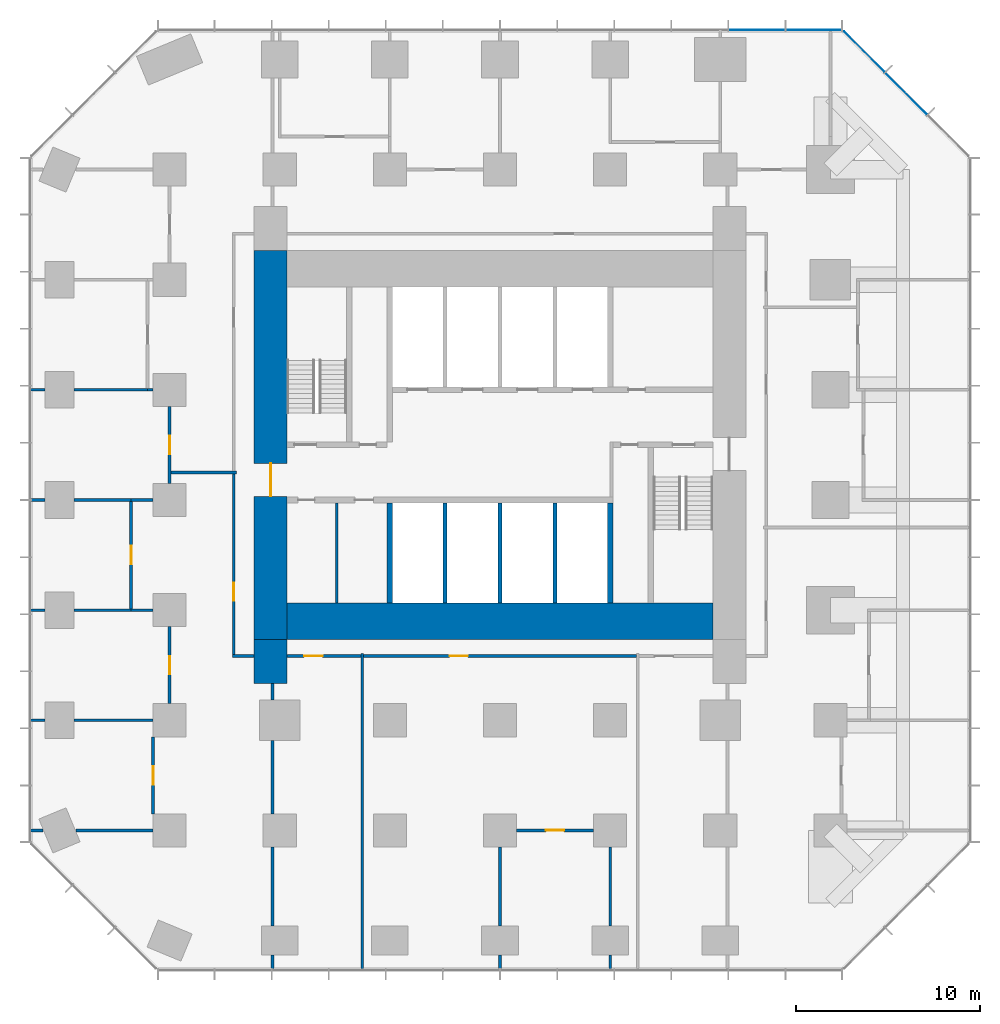
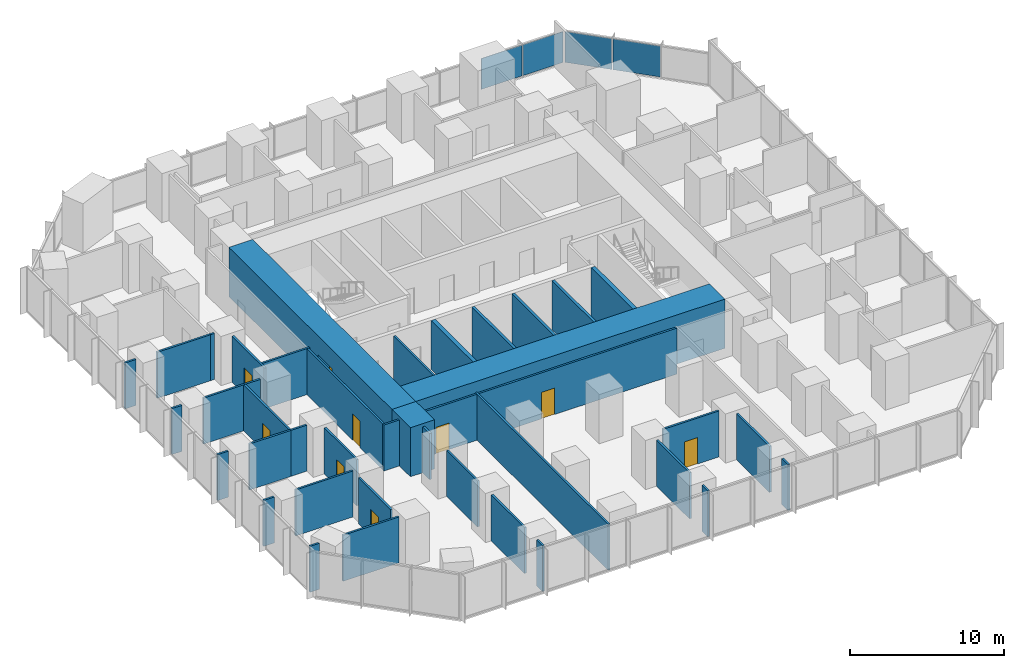
# One storey, part 9 of 13: 41 walls, 9 doors, 4 plates, 9 openings, 2 elements without a shape of their own.
"""IFC4 building model written with IfcOpenShell, lengths in metres."""

from ifc_helpers import new_model, si_unit, direction, frame, frame_2d, origin, origin_2d, place, context, subcontext, project, spatial, rectangle, extrude, material, layer, layer_set, type_object, element, fill, aggregate, save


model = new_model("IFC4")

# Units and contexts
model_context = context("Model", 3, precision=1e-05, world=origin(), true_north=direction((0.0, 1.0)))
body_context = subcontext(model_context, "Body", "Model", "MODEL_VIEW")
ifc_project = project(units=[si_unit("LENGTHUNIT", "METRE"), si_unit("AREAUNIT", "SQUARE_METRE"), si_unit("VOLUMEUNIT", "CUBIC_METRE"), si_unit("PLANEANGLEUNIT", "RADIAN"), si_unit("MASSUNIT", "GRAM", prefix="KILO")], contexts=[model_context])

# Site, building, storey
site_placement = place(None, origin())
site = spatial("IfcSite", under=ifc_project, at=site_placement, CompositionType="ELEMENT")
building_placement = place(site_placement, origin())
building = spatial("IfcBuilding", under=site, at=building_placement, Name="Highveld Stack Headquarters", CompositionType="ELEMENT")
storey_placement = place(building_placement, frame((0.0, 0.0, 61.10009765625)))
storey = spatial("IfcBuildingStorey", under=building, at=storey_placement, Name="L14", CompositionType="ELEMENT", Elevation=61.10009765625)

# Curtain wall, plates
ifc_material_1 = material(Name="Aluminium bronze anodised", Category="aluminium")
ifc_layer_1 = layer(ifc_material_1, 0.199951171875)
ifc_layer_set_1 = layer_set([ifc_layer_1], Name="Aluminium bronze anodised")
curtain_wall_type_1 = type_object("IfcCurtainWallType", Name="CW1 TOWER UNITISED CURTAIN WALL", PredefinedType="NOTDEFINED", material=ifc_layer_set_1)
curtain_wall_1_placement = place(storey_placement, origin())
curtain_wall_1 = element("IfcCurtainWall", 1, at=curtain_wall_1_placement, inside=storey, type_object=curtain_wall_type_1, Name="Curtain wall CW1 L14 N", PredefinedType="NOTDEFINED")
ifc_material_2 = material(Name="Glass bronze tinted double glazed unit", Category="glass")
ifc_layer_2 = layer(ifc_material_2, 0.028076171875)
ifc_layer_set_2 = layer_set([ifc_layer_2], Name="Glass bronze tinted double glazed unit")
plate_type_1 = type_object("IfcPlateType", Name="CW1 PANEL BRONZE TINTED DOUBLE GLAZED UNIT", PredefinedType="CURTAIN_PANEL", material=ifc_layer_set_2)
plate_1_placement = place(storey_placement, frame((23.09130859375, 25.60009765625, 0.10009765625), z_axis=(0.0, 0.0, 1.0), x_axis=(-1.0, 0.0, 0.0)))
plate_1 = element("IfcPlate", 2, at=plate_1_placement, type_object=plate_type_1, Name="CW1 panel L14 1.1", PredefinedType="CURTAIN_PANEL", context=body_context, shape_type="SweptSolid", body=[
    extrude(rectangle(XDim=3.012939453125, YDim=0.028076171875, at=origin_2d()), origin(), (0.0, 0.0, 1.0), 2.449951171875),
])
plate_2_placement = place(storey_placement, frame((19.9970703125, 25.60009765625, 0.10009765625), z_axis=(0.0, 0.0, 1.0), x_axis=(-1.0, 0.0, 0.0)))
plate_2 = element("IfcPlate", 3, at=plate_2_placement, type_object=plate_type_1, Name="CW1 panel L14 2.1", PredefinedType="CURTAIN_PANEL", context=body_context, shape_type="SweptSolid", body=[
    extrude(rectangle(XDim=3.04541015625, YDim=0.028076171875, at=origin_2d()), origin(), (0.0, 0.0, 1.0), 2.449951171875),
])
aggregate(curtain_wall_1, [plate_1, plate_2])

ifc_material_3 = material(Name="Aluminium bronze anodised", Category="aluminium")
ifc_layer_3 = layer(ifc_material_3, 0.199951171875)
ifc_layer_set_3 = layer_set([ifc_layer_3], Name="Aluminium bronze anodised")
curtain_wall_type_2 = type_object("IfcCurtainWallType", Name="CW2 TOWER CHAMFER UNITISED CURTAIN WALL", PredefinedType="NOTDEFINED", material=ifc_layer_set_3)
curtain_wall_2_placement = place(storey_placement, origin())
curtain_wall_2 = element("IfcCurtainWall", 4, at=curtain_wall_2_placement, inside=storey, type_object=curtain_wall_type_2, Name="Curtain wall CW2 L14 NE", PredefinedType="NOTDEFINED")
ifc_material_4 = material(Name="Glass bronze tinted double glazed unit", Category="glass")
ifc_layer_4 = layer(ifc_material_4, 0.028076171875)
ifc_layer_set_4 = layer_set([ifc_layer_4], Name="Glass bronze tinted double glazed unit")
plate_type_2 = type_object("IfcPlateType", Name="CW2 PANEL BRONZE TINTED DOUBLE GLAZED UNIT", PredefinedType="CURTAIN_PANEL", material=ifc_layer_set_4)
plate_3_placement = place(storey_placement, frame((28.13134765625, 22.13134765625, 0.10009765625), z_axis=(0.0, 0.0, 1.0), x_axis=(-0.707106781187, 0.707106781187, 0.0)))
plate_3 = element("IfcPlate", 5, at=plate_3_placement, type_object=plate_type_2, Name="CW2 panel L14 2.1", PredefinedType="CURTAIN_PANEL", context=body_context, shape_type="SweptSolid", body=[
    extrude(rectangle(XDim=3.205322265625, YDim=0.028076171875, at=origin_2d()), origin(), (0.0, 0.0, 1.0), 2.449951171875),
])
plate_4_placement = place(storey_placement, frame((25.8427734375, 24.419921875, 0.10009765625), z_axis=(0.0, 0.0, 1.0), x_axis=(-0.707106781187, 0.707106781187, 0.0)))
plate_4 = element("IfcPlate", 6, at=plate_4_placement, type_object=plate_type_2, Name="CW2 panel L14 3.1", PredefinedType="CURTAIN_PANEL", context=body_context, shape_type="SweptSolid", body=[
    extrude(rectangle(XDim=3.1376953125, YDim=0.028076171875, at=origin_2d()), origin(), (0.0, 0.0, 1.0), 2.449951171875),
])
aggregate(curtain_wall_2, [plate_3, plate_4])

# Wall, opening, door
ifc_material_5 = material(Name="Concrete C60/75", Category="concrete")
ifc_layer_5 = layer(ifc_material_5, 1.800048828125)
ifc_layer_set_5 = layer_set([ifc_layer_5], Name="Concrete C60/75")
wall_type_1 = type_object("IfcWallType", Name="CORE WALL 1800 C60/75", PredefinedType="SHEAR", material=ifc_layer_set_5)
wall_1_placement = place(storey_placement, frame((-6.5, -7.60009765625, 0.0), z_axis=(0.0, 0.0, 1.0), x_axis=(0.0, 1.0, 0.0)))
wall_1 = element("IfcWall", 7, at=wall_1_placement, inside=storey, type_object=wall_type_1, Name="Core wall W L14", PredefinedType="SHEAR", context=body_context, shape_type="SweptSolid", body=[
    extrude(rectangle(XDim=21.2001953125, YDim=1.800048828125, at=frame_2d((10.60009765625, 0.0))), origin(), (0.0, 0.0, 1.0), 3.89990234375),
])
opening_1_placement = place(wall_1_placement, frame((7.800048828125, 0.0, 0.0)))
opening_1 = element("IfcOpeningElement", 8, at=opening_1_placement, cuts=wall_1, Name="Opening L14-01", PredefinedType="OPENING", context=body_context, shape_type="SweptSolid", body=[
    extrude(rectangle(XDim=1.800048828125, YDim=2.39990234375, at=frame_2d((0.89990234375, 1.199951171875))), frame((0.0, 0.909912109375, 0.0), z_axis=(0.0, -1.0, 0.0), x_axis=(1.0, 0.0, 0.0)), (0.0, 0.0, 1.0), 1.820068359375),
])
ifc_material_6 = material(Name="Steel fire door", Category="steel")
door_type_1 = type_object("IfcDoorType", Name="LOBBY FIRE DOOR D4 1800x2400", OperationType="DOUBLE_DOOR_SINGLE_SWING", PredefinedType="DOOR", material=ifc_material_6)
door_1_placement = place(opening_1_placement, origin())
door_1 = element("IfcDoor", 9, at=door_1_placement, inside=storey, type_object=door_type_1, Name="Core west door L14", OperationType="DOUBLE_DOOR_SINGLE_SWING", OverallHeight=2.39990234375, OverallWidth=1.800048828125, PredefinedType="DOOR", context=body_context, shape_type="SweptSolid", body=[
    extrude(rectangle(XDim=1.800048828125, YDim=2.39990234375, at=frame_2d((0.89990234375, 1.199951171875))), frame((0.0, 0.02490234375, 0.0), z_axis=(0.0, -1.0, 0.0), x_axis=(1.0, 0.0, 0.0)), (0.0, 0.0, 1.0), 0.050048828125),
])
fill(opening_1, door_1)

# Walls
ifc_material_7 = material(Name="Concrete C60/75", Category="concrete")
ifc_layer_6 = layer(ifc_material_7, 2.0)
ifc_layer_set_6 = layer_set([ifc_layer_6], Name="Concrete C60/75")
wall_type_2 = type_object("IfcWallType", Name="CORE WALL 2000 C60/75", PredefinedType="SHEAR", material=ifc_layer_set_6)
wall_2_placement = place(storey_placement, frame((-5.60009765625, -6.60009765625, 0.0), z_axis=(0.0, 0.0, 1.0), x_axis=(1.0, 0.0, 0.0)))
element("IfcWall", 10, at=wall_2_placement, inside=storey, type_object=wall_type_2, Name="Core wall S L14", PredefinedType="SHEAR", context=body_context, shape_type="SweptSolid", body=[
    extrude(rectangle(XDim=23.2001953125, YDim=2.0, at=frame_2d((11.60009765625, 0.0))), origin(), (0.0, 0.0, 1.0), 3.89990234375),
])
ifc_material_8 = material(Name="Concrete C60/75", Category="concrete")
ifc_layer_7 = layer(ifc_material_8, 0.300048828125)
ifc_layer_set_7 = layer_set([ifc_layer_7], Name="Concrete C60/75")
wall_type_3 = type_object("IfcWallType", Name="CORE WALL 300 C60/75", PredefinedType="SHEAR", material=ifc_layer_set_7)
for number, where, z_axis, x_axis, name in (
    (11, (0.0, -5.60009765625, 0.0), (0.0, 0.0, 1.0), (0.0, 1.0, 0.0), "Core wall I-X0S L14"),
    (12, (12.0, -5.60009765625, 0.0), (0.0, 0.0, 1.0), (0.0, 1.0, 0.0), "Core wall I-X12S L14"),
):
    element("IfcWall", number, at=place(storey_placement, frame(where, z_axis=z_axis, x_axis=x_axis)), inside=storey, type_object=wall_type_3, Name=name, PredefinedType="SHEAR", context=body_context, shape_type="SweptSolid", body=[
        extrude(rectangle(XDim=5.4501953125, YDim=0.300048828125, at=frame_2d((2.72509765625, 0.0))), origin(), (0.0, 0.0, 1.0), 3.89990234375),
    ])
ifc_material_9 = material(Name="Concrete C60/75", Category="concrete")
ifc_layer_8 = layer(ifc_material_9, 1.800048828125)
ifc_layer_set_8 = layer_set([ifc_layer_8], Name="Concrete C60/75")
wall_type_4 = type_object("IfcWallType", Name="CORE WING WALL 1800 C60/75", PredefinedType="SHEAR", material=ifc_layer_set_8)
wall_3_placement = place(storey_placement, frame((-6.5, -10.0, 0.0), z_axis=(0.0, 0.0, 1.0), x_axis=(0.0, 1.0, 0.0)))
element("IfcWall", 13, at=wall_3_placement, inside=storey, type_object=wall_type_4, Name="Core wing wall WS L14", PredefinedType="SHEAR", context=body_context, shape_type="SweptSolid", body=[
    extrude(rectangle(XDim=2.39990234375, YDim=1.800048828125, at=frame_2d((1.199951171875, 0.0))), origin(), (0.0, 0.0, 1.0), 3.89990234375),
])

# Wall, opening, door
ifc_material_10 = material(Name="Laminated glass in aluminium frame", Category="aluminium")
ifc_layer_9 = layer(ifc_material_10, 0.14990234375)
ifc_layer_set_9 = layer_set([ifc_layer_9], Name="Laminated glass in aluminium frame")
wall_type_5 = type_object("IfcWallType", Name="GLAZED PARTITION 150", PredefinedType="PARTITIONING", material=ifc_layer_set_9)
wall_4_placement = place(storey_placement, frame((-12.0, 0.89990234375, 0.0), z_axis=(0.0, 0.0, 1.0), x_axis=(0.0, 1.0, 0.0)))
wall_4 = element("IfcWall", 14, at=wall_4_placement, inside=storey, type_object=wall_type_5, Name="Glazed partition Meeting room L14", PredefinedType="PARTITIONING", context=body_context, shape_type="SweptSolid", body=[
    extrude(rectangle(XDim=4.2001953125, YDim=0.14990234375, at=frame_2d((2.10009765625, 0.0))), origin(), (0.0, 0.0, 1.0), 3.64990234375),
])
opening_2_placement = place(wall_4_placement, frame((1.60009765625, 0.0, 0.0)))
opening_2 = element("IfcOpeningElement", 15, at=opening_2_placement, cuts=wall_4, Name="Opening L14-14", PredefinedType="OPENING", context=body_context, shape_type="SweptSolid", body=[
    extrude(rectangle(XDim=1.0, YDim=2.10009765625, at=frame_2d((0.5, 1.050048828125))), frame((0.0, 0.0849609375, 0.0), z_axis=(0.0, -1.0, 0.0), x_axis=(1.0, 0.0, 0.0)), (0.0, 0.0, 1.0), 0.169921875),
])
ifc_material_11 = material(Name="Timber door, oiled ash", Category="wood")
door_type_2 = type_object("IfcDoorType", Name="ROOM DOOR D6 1000x2100", OperationType="SINGLE_SWING_LEFT", PredefinedType="DOOR", material=ifc_material_11)
door_2_placement = place(opening_2_placement, origin())
door_2 = element("IfcDoor", 16, at=door_2_placement, inside=storey, type_object=door_type_2, Name="Meeting room door 1 L14", OperationType="SINGLE_SWING_LEFT", OverallHeight=2.10009765625, OverallWidth=1.0, PredefinedType="DOOR", context=body_context, shape_type="SweptSolid", body=[
    extrude(rectangle(XDim=1.0, YDim=2.10009765625, at=frame_2d((0.5, 1.050048828125))), frame((0.0, 0.02490234375, 0.0), z_axis=(0.0, -1.0, 0.0), x_axis=(1.0, 0.0, 0.0)), (0.0, 0.0, 1.0), 0.050048828125),
])
fill(opening_2, door_2)

# Walls
ifc_material_12 = material(Name="Concrete blockwork, fair-faced", Category="masonry")
ifc_layer_10 = layer(ifc_material_12, 0.199951171875)
ifc_layer_set_10 = layer_set([ifc_layer_10], Name="Concrete blockwork, fair-faced")
wall_type_6 = type_object("IfcWallType", Name="LIFT SHAFT ENCLOSURE WALL 200 BLOCKWORK", PredefinedType="SOLIDWALL", material=ifc_layer_set_10)
for number, where, z_axis, x_axis, name in (
    (17, (3.0, -5.60009765625, 0.0), (0.0, 0.0, 1.0), (0.0, 1.0, 0.0), "Lift shaft wall L14"),
    (18, (6.0, -5.60009765625, 0.0), (0.0, 0.0, 1.0), (0.0, 1.0, 0.0), "Lift shaft wall L14"),
    (19, (9.0, -5.60009765625, 0.0), (0.0, 0.0, 1.0), (0.0, 1.0, 0.0), "Lift shaft wall L14"),
):
    element("IfcWall", number, at=place(storey_placement, frame(where, z_axis=z_axis, x_axis=x_axis)), inside=storey, type_object=wall_type_6, Name=name, PredefinedType="SOLIDWALL", context=body_context, shape_type="SweptSolid", body=[
        extrude(rectangle(XDim=5.4501953125, YDim=0.199951171875, at=frame_2d((2.72509765625, 0.0))), origin(), (0.0, 0.0, 1.0), 3.89990234375),
    ])
ifc_material_13 = material(Name="Gypsum plasterboard on steel studs", Category="steel")
ifc_layer_11 = layer(ifc_material_13, 0.14990234375)
ifc_layer_set_11 = layer_set([ifc_layer_11], Name="Gypsum plasterboard on steel studs")
wall_type_7 = type_object("IfcWallType", Name="PARTITION 150 PLASTERBOARD", PredefinedType="PARTITIONING", material=ifc_layer_set_11)
wall_5_placement = place(storey_placement, frame((-19.60009765625, -18.0, 0.0), z_axis=(0.0, 0.0, 1.0), x_axis=(1.0, 0.0, 0.0)))
element("IfcWall", 20, at=wall_5_placement, inside=storey, type_object=wall_type_7, Name="Partition Interview room L14", PredefinedType="PARTITIONING", context=body_context, shape_type="SweptSolid", body=[
    extrude(rectangle(XDim=0.703125, YDim=0.14990234375, at=frame_2d((0.3515625, 0.0))), origin(), (0.0, 0.0, 1.0), 3.64990234375),
])
wall_6_placement = place(storey_placement, frame((-17.10302734375, -18.0, 0.0), z_axis=(0.0, 0.0, 1.0), x_axis=(1.0, 0.0, 0.0)))
element("IfcWall", 21, at=wall_6_placement, inside=storey, type_object=wall_type_7, Name="Partition Interview room L14", PredefinedType="PARTITIONING", context=body_context, shape_type="SweptSolid", body=[
    extrude(rectangle(XDim=4.203125, YDim=0.14990234375, at=frame_2d((2.1015625, 0.0))), origin(), (0.0, 0.0, 1.0), 3.64990234375),
])

# Wall, opening, door
wall_7_placement = place(storey_placement, frame((6.89990234375, -18.0, 0.0), z_axis=(0.0, 0.0, 1.0), x_axis=(1.0, 0.0, 0.0)))
wall_7 = element("IfcWall", 22, at=wall_7_placement, inside=storey, type_object=wall_type_7, Name="Partition Office L14", PredefinedType="PARTITIONING", context=body_context, shape_type="SweptSolid", body=[
    extrude(rectangle(XDim=4.2001953125, YDim=0.14990234375, at=frame_2d((2.10009765625, 0.0))), origin(), (0.0, 0.0, 1.0), 3.64990234375),
])
opening_3_placement = place(wall_7_placement, frame((1.60009765625, 0.0, 0.0)))
opening_3 = element("IfcOpeningElement", 23, at=opening_3_placement, cuts=wall_7, Name="Opening L14-10", PredefinedType="OPENING", context=body_context, shape_type="SweptSolid", body=[
    extrude(rectangle(XDim=1.0, YDim=2.10009765625, at=frame_2d((0.5, 1.050048828125))), frame((0.0, 0.0849609375, 0.0), z_axis=(0.0, -1.0, 0.0), x_axis=(1.0, 0.0, 0.0)), (0.0, 0.0, 1.0), 0.169921875),
])
door_3_placement = place(opening_3_placement, origin())
door_3 = element("IfcDoor", 24, at=door_3_placement, inside=storey, type_object=door_type_2, Name="Office door 1 L14", OperationType="SINGLE_SWING_LEFT", OverallHeight=2.10009765625, OverallWidth=1.0, PredefinedType="DOOR", context=body_context, shape_type="SweptSolid", body=[
    extrude(rectangle(XDim=1.0, YDim=2.10009765625, at=frame_2d((0.5, 1.050048828125))), frame((0.0, 0.02490234375, 0.0), z_axis=(0.0, -1.0, 0.0), x_axis=(1.0, 0.0, 0.0)), (0.0, 0.0, 1.0), 0.050048828125),
])
fill(opening_3, door_3)

# Walls
wall_8_placement = place(storey_placement, frame((-19.60009765625, -12.0, 0.0), z_axis=(0.0, 0.0, 1.0), x_axis=(1.0, 0.0, 0.0)))
element("IfcWall", 25, at=wall_8_placement, inside=storey, type_object=wall_type_7, Name="Partition Interview room / Office L14", PredefinedType="PARTITIONING", context=body_context, shape_type="SweptSolid", body=[
    extrude(rectangle(XDim=0.800048828125, YDim=0.14990234375, at=frame_2d((0.39990234375, 0.0))), origin(), (0.0, 0.0, 1.0), 3.64990234375),
])
wall_9_placement = place(storey_placement, frame((-17.199951171875, -12.0, 0.0), z_axis=(0.0, 0.0, 1.0), x_axis=(1.0, 0.0, 0.0)))
element("IfcWall", 26, at=wall_9_placement, inside=storey, type_object=wall_type_7, Name="Partition Interview room / Office L14", PredefinedType="PARTITIONING", context=body_context, shape_type="SweptSolid", body=[
    extrude(rectangle(XDim=4.300048828125, YDim=0.14990234375, at=frame_2d((2.14990234375, 0.0))), origin(), (0.0, 0.0, 1.0), 3.64990234375),
])
wall_10_placement = place(storey_placement, frame((-19.60009765625, -6.0, 0.0), z_axis=(0.0, 0.0, 1.0), x_axis=(1.0, 0.0, 0.0)))
element("IfcWall", 27, at=wall_10_placement, inside=storey, type_object=wall_type_7, Name="Partition Focus room / Office L14", PredefinedType="PARTITIONING", context=body_context, shape_type="SweptSolid", body=[
    extrude(rectangle(XDim=0.800048828125, YDim=0.14990234375, at=frame_2d((0.39990234375, 0.0))), origin(), (0.0, 0.0, 1.0), 3.64990234375),
])
wall_11_placement = place(storey_placement, frame((-17.199951171875, -6.0, 0.0), z_axis=(0.0, 0.0, 1.0), x_axis=(1.0, 0.0, 0.0)))
element("IfcWall", 28, at=wall_11_placement, inside=storey, type_object=wall_type_7, Name="Partition Focus room / Office L14", PredefinedType="PARTITIONING", context=body_context, shape_type="SweptSolid", body=[
    extrude(rectangle(XDim=3.175048828125, YDim=0.14990234375, at=frame_2d((1.58740234375, 0.0))), origin(), (0.0, 0.0, 1.0), 3.64990234375),
])
wall_12_placement = place(storey_placement, frame((-14.10009765625, -6.0, 0.0), z_axis=(0.0, 0.0, 1.0), x_axis=(1.0, 0.0, 0.0)))
element("IfcWall", 29, at=wall_12_placement, inside=storey, type_object=wall_type_7, Name="Partition Office L14", PredefinedType="PARTITIONING", context=body_context, shape_type="SweptSolid", body=[
    extrude(rectangle(XDim=1.2001953125, YDim=0.14990234375, at=frame_2d((0.60009765625, 0.0))), origin(), (0.0, 0.0, 1.0), 3.64990234375),
])
wall_13_placement = place(storey_placement, frame((-19.550048828125, 0.0, 0.0), z_axis=(0.0, 0.0, 1.0), x_axis=(1.0, 0.0, 0.0)))
element("IfcWall", 30, at=wall_13_placement, inside=storey, type_object=wall_type_7, Name="Partition Focus room / Meeting room L14", PredefinedType="PARTITIONING", context=body_context, shape_type="SweptSolid", body=[
    extrude(rectangle(XDim=0.75, YDim=0.14990234375, at=frame_2d((0.375, 0.0))), origin(), (0.0, 0.0, 1.0), 3.64990234375),
])
wall_14_placement = place(storey_placement, frame((-17.199951171875, 0.0, 0.0), z_axis=(0.0, 0.0, 1.0), x_axis=(1.0, 0.0, 0.0)))
element("IfcWall", 31, at=wall_14_placement, inside=storey, type_object=wall_type_7, Name="Partition Focus room / Meeting room L14", PredefinedType="PARTITIONING", context=body_context, shape_type="SweptSolid", body=[
    extrude(rectangle(XDim=3.175048828125, YDim=0.14990234375, at=frame_2d((1.58740234375, 0.0))), origin(), (0.0, 0.0, 1.0), 3.64990234375),
])
wall_15_placement = place(storey_placement, frame((-14.10009765625, 0.0, 0.0), z_axis=(0.0, 0.0, 1.0), x_axis=(1.0, 0.0, 0.0)))
element("IfcWall", 32, at=wall_15_placement, inside=storey, type_object=wall_type_7, Name="Partition Meeting room L14", PredefinedType="PARTITIONING", context=body_context, shape_type="SweptSolid", body=[
    extrude(rectangle(XDim=1.2001953125, YDim=0.14990234375, at=frame_2d((0.60009765625, 0.0))), origin(), (0.0, 0.0, 1.0), 3.64990234375),
])
wall_16_placement = place(storey_placement, frame((-19.60009765625, 6.0, 0.0), z_axis=(0.0, 0.0, 1.0), x_axis=(1.0, 0.0, 0.0)))
element("IfcWall", 33, at=wall_16_placement, inside=storey, type_object=wall_type_7, Name="Partition Meeting room / Tea kitchen L14", PredefinedType="PARTITIONING", context=body_context, shape_type="SweptSolid", body=[
    extrude(rectangle(XDim=0.800048828125, YDim=0.14990234375, at=frame_2d((0.39990234375, 0.0))), origin(), (0.0, 0.0, 1.0), 3.64990234375),
])
wall_17_placement = place(storey_placement, frame((-17.199951171875, 6.0, 0.0), z_axis=(0.0, 0.0, 1.0), x_axis=(1.0, 0.0, 0.0)))
element("IfcWall", 34, at=wall_17_placement, inside=storey, type_object=wall_type_7, Name="Partition Meeting room / Tea kitchen L14", PredefinedType="PARTITIONING", context=body_context, shape_type="SweptSolid", body=[
    extrude(rectangle(XDim=4.074951171875, YDim=0.14990234375, at=frame_2d((2.03759765625, 0.0))), origin(), (0.0, 0.0, 1.0), 3.64990234375),
])
wall_18_placement = place(storey_placement, frame((-13.199951171875, 6.0, 0.0), z_axis=(0.0, 0.0, 1.0), x_axis=(1.0, 0.0, 0.0)))
element("IfcWall", 35, at=wall_18_placement, inside=storey, type_object=wall_type_7, Name="Partition Meeting room L14", PredefinedType="PARTITIONING", context=body_context, shape_type="SweptSolid", body=[
    extrude(rectangle(XDim=0.300048828125, YDim=0.14990234375, at=frame_2d((0.14990234375, 0.0))), origin(), (0.0, 0.0, 1.0), 3.64990234375),
])

# Wall, opening, door
wall_19_placement = place(storey_placement, frame((-14.10009765625, -5.925048828125, 0.0), z_axis=(0.0, 0.0, 1.0), x_axis=(0.0, 1.0, 0.0)))
wall_19 = element("IfcWall", 36, at=wall_19_placement, inside=storey, type_object=wall_type_7, Name="Partition Focus room L14", PredefinedType="PARTITIONING", context=body_context, shape_type="SweptSolid", body=[
    extrude(rectangle(XDim=5.85009765625, YDim=0.14990234375, at=frame_2d((2.925048828125, 0.0))), origin(), (0.0, 0.0, 1.0), 3.64990234375),
])
opening_4_placement = place(wall_19_placement, frame((2.425048828125, 0.0, 0.0)))
opening_4 = element("IfcOpeningElement", 37, at=opening_4_placement, cuts=wall_19, Name="Opening L14-13", PredefinedType="OPENING", context=body_context, shape_type="SweptSolid", body=[
    extrude(rectangle(XDim=1.0, YDim=2.10009765625, at=frame_2d((0.5, 1.050048828125))), frame((0.0, 0.0849609375, 0.0), z_axis=(0.0, -1.0, 0.0), x_axis=(1.0, 0.0, 0.0)), (0.0, 0.0, 1.0), 0.169921875),
])
door_4_placement = place(opening_4_placement, origin())
door_4 = element("IfcDoor", 38, at=door_4_placement, inside=storey, type_object=door_type_2, Name="Focus room door 1 L14", OperationType="SINGLE_SWING_RIGHT", OverallHeight=2.10009765625, OverallWidth=1.0, PredefinedType="DOOR", context=body_context, shape_type="SweptSolid", body=[
    extrude(rectangle(XDim=1.0, YDim=2.10009765625, at=frame_2d((0.5, 1.050048828125))), frame((0.0, 0.02490234375, 0.0), z_axis=(0.0, -1.0, 0.0), x_axis=(1.0, 0.0, 0.0)), (0.0, 0.0, 1.0), 0.050048828125),
])
fill(opening_4, door_4)

wall_20_placement = place(storey_placement, frame((-12.89990234375, -17.10009765625, 0.0), z_axis=(0.0, 0.0, 1.0), x_axis=(0.0, 1.0, 0.0)))
wall_20 = element("IfcWall", 39, at=wall_20_placement, inside=storey, type_object=wall_type_7, Name="Partition Interview room L14", PredefinedType="PARTITIONING", context=body_context, shape_type="SweptSolid", body=[
    extrude(rectangle(XDim=4.2001953125, YDim=0.14990234375, at=frame_2d((2.10009765625, 0.0))), origin(), (0.0, 0.0, 1.0), 3.64990234375),
])
opening_5_placement = place(wall_20_placement, frame((1.60009765625, 0.0, 0.0)))
opening_5 = element("IfcOpeningElement", 40, at=opening_5_placement, cuts=wall_20, Name="Opening L14-11", PredefinedType="OPENING", context=body_context, shape_type="SweptSolid", body=[
    extrude(rectangle(XDim=1.0, YDim=2.10009765625, at=frame_2d((0.5, 1.050048828125))), frame((0.0, 0.0849609375, 0.0), z_axis=(0.0, -1.0, 0.0), x_axis=(1.0, 0.0, 0.0)), (0.0, 0.0, 1.0), 0.169921875),
])
door_5_placement = place(opening_5_placement, origin())
door_5 = element("IfcDoor", 41, at=door_5_placement, inside=storey, type_object=door_type_2, Name="Interview room door 1 L14", OperationType="SINGLE_SWING_RIGHT", OverallHeight=2.10009765625, OverallWidth=1.0, PredefinedType="DOOR", context=body_context, shape_type="SweptSolid", body=[
    extrude(rectangle(XDim=1.0, YDim=2.10009765625, at=frame_2d((0.5, 1.050048828125))), frame((0.0, 0.02490234375, 0.0), z_axis=(0.0, -1.0, 0.0), x_axis=(1.0, 0.0, 0.0)), (0.0, 0.0, 1.0), 0.050048828125),
])
fill(opening_5, door_5)

wall_21_placement = place(storey_placement, frame((-12.0, -11.10009765625, 0.0), z_axis=(0.0, 0.0, 1.0), x_axis=(0.0, 1.0, 0.0)))
wall_21 = element("IfcWall", 42, at=wall_21_placement, inside=storey, type_object=wall_type_7, Name="Partition Office L14", PredefinedType="PARTITIONING", context=body_context, shape_type="SweptSolid", body=[
    extrude(rectangle(XDim=4.2001953125, YDim=0.14990234375, at=frame_2d((2.10009765625, 0.0))), origin(), (0.0, 0.0, 1.0), 3.64990234375),
])
opening_6_placement = place(wall_21_placement, frame((1.60009765625, 0.0, 0.0)))
opening_6 = element("IfcOpeningElement", 43, at=opening_6_placement, cuts=wall_21, Name="Opening L14-12", PredefinedType="OPENING", context=body_context, shape_type="SweptSolid", body=[
    extrude(rectangle(XDim=1.0, YDim=2.10009765625, at=frame_2d((0.5, 1.050048828125))), frame((0.0, 0.0849609375, 0.0), z_axis=(0.0, -1.0, 0.0), x_axis=(1.0, 0.0, 0.0)), (0.0, 0.0, 1.0), 0.169921875),
])
door_6_placement = place(opening_6_placement, origin())
door_6 = element("IfcDoor", 44, at=door_6_placement, inside=storey, type_object=door_type_2, Name="Office door 1 L14", OperationType="SINGLE_SWING_RIGHT", OverallHeight=2.10009765625, OverallWidth=1.0, PredefinedType="DOOR", context=body_context, shape_type="SweptSolid", body=[
    extrude(rectangle(XDim=1.0, YDim=2.10009765625, at=frame_2d((0.5, 1.050048828125))), frame((0.0, 0.02490234375, 0.0), z_axis=(0.0, -1.0, 0.0), x_axis=(1.0, 0.0, 0.0)), (0.0, 0.0, 1.0), 0.050048828125),
])
fill(opening_6, door_6)

# Walls
wall_22_placement = place(storey_placement, frame((6.0, -25.550048828125, 0.0), z_axis=(0.0, 0.0, 1.0), x_axis=(0.0, 1.0, 0.0)))
element("IfcWall", 45, at=wall_22_placement, inside=storey, type_object=wall_type_7, Name="Partition Office L14", PredefinedType="PARTITIONING", context=body_context, shape_type="SweptSolid", body=[
    extrude(rectangle(XDim=0.75, YDim=0.14990234375, at=frame_2d((0.375, 0.0))), origin(), (0.0, 0.0, 1.0), 3.64990234375),
])
wall_23_placement = place(storey_placement, frame((6.0, -23.199951171875, 0.0), z_axis=(0.0, 0.0, 1.0), x_axis=(0.0, 1.0, 0.0)))
element("IfcWall", 46, at=wall_23_placement, inside=storey, type_object=wall_type_7, Name="Partition Office L14", PredefinedType="PARTITIONING", context=body_context, shape_type="SweptSolid", body=[
    extrude(rectangle(XDim=4.300048828125, YDim=0.14990234375, at=frame_2d((2.14990234375, 0.0))), origin(), (0.0, 0.0, 1.0), 3.64990234375),
])
wall_24_placement = place(storey_placement, frame((12.0, -25.60009765625, 0.0), z_axis=(0.0, 0.0, 1.0), x_axis=(0.0, 1.0, 0.0)))
element("IfcWall", 47, at=wall_24_placement, inside=storey, type_object=wall_type_7, Name="Partition Office L14", PredefinedType="PARTITIONING", context=body_context, shape_type="SweptSolid", body=[
    extrude(rectangle(XDim=0.800048828125, YDim=0.14990234375, at=frame_2d((0.39990234375, 0.0))), origin(), (0.0, 0.0, 1.0), 3.64990234375),
])
wall_25_placement = place(storey_placement, frame((12.0, -23.199951171875, 0.0), z_axis=(0.0, 0.0, 1.0), x_axis=(0.0, 1.0, 0.0)))
element("IfcWall", 48, at=wall_25_placement, inside=storey, type_object=wall_type_7, Name="Partition Office L14", PredefinedType="PARTITIONING", context=body_context, shape_type="SweptSolid", body=[
    extrude(rectangle(XDim=4.300048828125, YDim=0.14990234375, at=frame_2d((2.14990234375, 0.0))), origin(), (0.0, 0.0, 1.0), 3.64990234375),
])
wall_26_placement = place(storey_placement, frame((-11.925048828125, 1.5, 0.0), z_axis=(0.0, 0.0, 1.0), x_axis=(1.0, 0.0, 0.0)))
element("IfcWall", 49, at=wall_26_placement, inside=storey, type_object=wall_type_7, Name="Partition office neighbourhood L14", PredefinedType="PARTITIONING", context=body_context, shape_type="SweptSolid", body=[
    extrude(rectangle(XDim=3.574951171875, YDim=0.14990234375, at=frame_2d((1.78759765625, 0.0))), origin(), (0.0, 0.0, 1.0), 3.64990234375),
])

# Wall, opening, door
wall_27_placement = place(storey_placement, frame((-8.5, -8.425048828125, 0.0), z_axis=(0.0, 0.0, 1.0), x_axis=(0.0, 1.0, 0.0)))
wall_27 = element("IfcWall", 50, at=wall_27_placement, inside=storey, type_object=wall_type_7, Name="Partition office neighbourhood L14", PredefinedType="PARTITIONING", context=body_context, shape_type="SweptSolid", body=[
    extrude(rectangle(XDim=9.85009765625, YDim=0.14990234375, at=frame_2d((4.925048828125, 0.0))), origin(), (0.0, 0.0, 1.0), 3.64990234375),
])
opening_7_placement = place(wall_27_placement, frame((2.925048828125, 0.0, 0.0)))
opening_7 = element("IfcOpeningElement", 51, at=opening_7_placement, cuts=wall_27, Name="Opening L14-25", PredefinedType="OPENING", context=body_context, shape_type="SweptSolid", body=[
    extrude(rectangle(XDim=1.0, YDim=2.10009765625, at=frame_2d((0.5, 1.050048828125))), frame((0.0, 0.0849609375, 0.0), z_axis=(0.0, -1.0, 0.0), x_axis=(1.0, 0.0, 0.0)), (0.0, 0.0, 1.0), 0.169921875),
])
door_7_placement = place(opening_7_placement, origin())
door_7 = element("IfcDoor", 52, at=door_7_placement, inside=storey, type_object=door_type_2, Name="Office neighbourhood door L14", OperationType="SINGLE_SWING_LEFT", OverallHeight=2.10009765625, OverallWidth=1.0, PredefinedType="DOOR", context=body_context, shape_type="SweptSolid", body=[
    extrude(rectangle(XDim=1.0, YDim=2.10009765625, at=frame_2d((0.5, 1.050048828125))), frame((0.0, 0.02490234375, 0.0), z_axis=(0.0, -1.0, 0.0), x_axis=(1.0, 0.0, 0.0)), (0.0, 0.0, 1.0), 0.050048828125),
])
fill(opening_7, door_7)

# Walls
wall_28_placement = place(storey_placement, frame((-8.574951171875, -8.5, 0.0), z_axis=(0.0, 0.0, 1.0), x_axis=(1.0, 0.0, 0.0)))
element("IfcWall", 53, at=wall_28_placement, inside=storey, type_object=wall_type_7, Name="Partition office neighbourhood L14", PredefinedType="PARTITIONING", context=body_context, shape_type="SweptSolid", body=[
    extrude(rectangle(XDim=1.175048828125, YDim=0.14990234375, at=frame_2d((0.58740234375, 0.0))), origin(), (0.0, 0.0, 1.0), 3.64990234375),
])
wall_29_placement = place(storey_placement, frame((-6.39990234375, -25.550048828125, 0.0), z_axis=(0.0, 0.0, 1.0), x_axis=(0.0, 1.0, 0.0)))
element("IfcWall", 54, at=wall_29_placement, inside=storey, type_object=wall_type_7, Name="Partition office neighbourhood L14", PredefinedType="PARTITIONING", context=body_context, shape_type="SweptSolid", body=[
    extrude(rectangle(XDim=0.75, YDim=0.14990234375, at=frame_2d((0.375, 0.0))), origin(), (0.0, 0.0, 1.0), 3.64990234375),
])
wall_30_placement = place(storey_placement, frame((-6.39990234375, -23.199951171875, 0.0), z_axis=(0.0, 0.0, 1.0), x_axis=(0.0, 1.0, 0.0)))
element("IfcWall", 55, at=wall_30_placement, inside=storey, type_object=wall_type_7, Name="Partition office neighbourhood L14", PredefinedType="PARTITIONING", context=body_context, shape_type="SweptSolid", body=[
    extrude(rectangle(XDim=4.300048828125, YDim=0.14990234375, at=frame_2d((2.14990234375, 0.0))), origin(), (0.0, 0.0, 1.0), 3.64990234375),
])
wall_31_placement = place(storey_placement, frame((-6.39990234375, -17.10009765625, 0.0), z_axis=(0.0, 0.0, 1.0), x_axis=(0.0, 1.0, 0.0)))
element("IfcWall", 56, at=wall_31_placement, inside=storey, type_object=wall_type_7, Name="Partition office neighbourhood L14", PredefinedType="PARTITIONING", context=body_context, shape_type="SweptSolid", body=[
    extrude(rectangle(XDim=4.0, YDim=0.14990234375, at=frame_2d((2.0, 0.0))), origin(), (0.0, 0.0, 1.0), 3.64990234375),
])
wall_32_placement = place(storey_placement, frame((-6.39990234375, -10.89990234375, 0.0), z_axis=(0.0, 0.0, 1.0), x_axis=(0.0, 1.0, 0.0)))
element("IfcWall", 57, at=wall_32_placement, inside=storey, type_object=wall_type_7, Name="Partition office neighbourhood L14", PredefinedType="PARTITIONING", context=body_context, shape_type="SweptSolid", body=[
    extrude(rectangle(XDim=0.89990234375, YDim=0.14990234375, at=frame_2d((0.449951171875, 0.0))), origin(), (0.0, 0.0, 1.0), 3.64990234375),
])

# Wall, opening, door
wall_33_placement = place(storey_placement, frame((-1.574951171875, -8.5, 0.0), z_axis=(0.0, 0.0, 1.0), x_axis=(-1.0, 0.0, 0.0)))
wall_33 = element("IfcWall", 58, at=wall_33_placement, inside=storey, type_object=wall_type_7, Name="Partition office neighbourhood L14", PredefinedType="PARTITIONING", context=body_context, shape_type="SweptSolid", body=[
    extrude(rectangle(XDim=4.025146484375, YDim=0.14990234375, at=frame_2d((2.0126953125, 0.0))), origin(), (0.0, 0.0, 1.0), 3.64990234375),
])
opening_8_placement = place(wall_33_placement, frame((2.090087890625, 0.0, 0.0)))
opening_8 = element("IfcOpeningElement", 59, at=opening_8_placement, cuts=wall_33, Name="Opening L14-30", PredefinedType="OPENING", context=body_context, shape_type="SweptSolid", body=[
    extrude(rectangle(XDim=1.0, YDim=2.10009765625, at=frame_2d((0.5, 1.050048828125))), frame((0.0, 0.0849609375, 0.0), z_axis=(0.0, -1.0, 0.0), x_axis=(1.0, 0.0, 0.0)), (0.0, 0.0, 1.0), 0.169921875),
])
door_8_placement = place(opening_8_placement, origin())
door_8 = element("IfcDoor", 60, at=door_8_placement, inside=storey, type_object=door_type_2, Name="Office neighbourhood door L14", OperationType="SINGLE_SWING_RIGHT", OverallHeight=2.10009765625, OverallWidth=1.0, PredefinedType="DOOR", context=body_context, shape_type="SweptSolid", body=[
    extrude(rectangle(XDim=1.0, YDim=2.10009765625, at=frame_2d((0.5, 1.050048828125))), frame((0.0, 0.02490234375, 0.0), z_axis=(0.0, -1.0, 0.0), x_axis=(1.0, 0.0, 0.0)), (0.0, 0.0, 1.0), 0.050048828125),
])
fill(opening_8, door_8)

# Wall
wall_34_placement = place(storey_placement, frame((-1.5, -25.60009765625, 0.0), z_axis=(0.0, 0.0, 1.0), x_axis=(0.0, 1.0, 0.0)))
element("IfcWall", 61, at=wall_34_placement, inside=storey, type_object=wall_type_7, Name="Partition office neighbourhood L14", PredefinedType="PARTITIONING", context=body_context, shape_type="SweptSolid", body=[
    extrude(rectangle(XDim=17.25, YDim=0.14990234375, at=frame_2d((8.625, 0.0))), origin(), (0.0, 0.0, 1.0), 3.64990234375),
])

# Wall, opening, door
wall_35_placement = place(storey_placement, frame((13.425048828125, -8.5, 0.0), z_axis=(0.0, 0.0, 1.0), x_axis=(-1.0, 0.0, 0.0)))
wall_35 = element("IfcWall", 62, at=wall_35_placement, inside=storey, type_object=wall_type_7, Name="Partition office neighbourhood L14", PredefinedType="PARTITIONING", context=body_context, shape_type="SweptSolid", body=[
    extrude(rectangle(XDim=14.85009765625, YDim=0.14990234375, at=frame_2d((7.425048828125, 0.0))), origin(), (0.0, 0.0, 1.0), 3.64990234375),
])
opening_9_placement = place(wall_35_placement, frame((9.175048828125, 0.0, 0.0)))
opening_9 = element("IfcOpeningElement", 63, at=opening_9_placement, cuts=wall_35, Name="Opening L14-32", PredefinedType="OPENING", context=body_context, shape_type="SweptSolid", body=[
    extrude(rectangle(XDim=1.0, YDim=2.10009765625, at=frame_2d((0.5, 1.050048828125))), frame((0.0, 0.0849609375, 0.0), z_axis=(0.0, -1.0, 0.0), x_axis=(1.0, 0.0, 0.0)), (0.0, 0.0, 1.0), 0.169921875),
])
door_9_placement = place(opening_9_placement, origin())
door_9 = element("IfcDoor", 64, at=door_9_placement, inside=storey, type_object=door_type_2, Name="Office neighbourhood door L14", OperationType="SINGLE_SWING_RIGHT", OverallHeight=2.10009765625, OverallWidth=1.0, PredefinedType="DOOR", context=body_context, shape_type="SweptSolid", body=[
    extrude(rectangle(XDim=1.0, YDim=2.10009765625, at=frame_2d((0.5, 1.050048828125))), frame((0.0, 0.02490234375, 0.0), z_axis=(0.0, -1.0, 0.0), x_axis=(1.0, 0.0, 0.0)), (0.0, 0.0, 1.0), 0.050048828125),
])
fill(opening_9, door_9)

# Wall
ifc_material_14 = material(Name="Concrete blockwork, tiled", Category="masonry")
ifc_layer_12 = layer(ifc_material_14, 0.14990234375)
ifc_layer_set_12 = layer_set([ifc_layer_12], Name="Concrete blockwork, tiled")
wall_type_8 = type_object("IfcWallType", Name="WC PARTITION 150", PredefinedType="PLUMBINGWALL", material=ifc_layer_set_12)
wall_36_placement = place(storey_placement, frame((-2.89990234375, -5.60009765625, 0.0), z_axis=(0.0, 0.0, 1.0), x_axis=(0.0, 1.0, 0.0)))
element("IfcWall", 65, at=wall_36_placement, inside=storey, type_object=wall_type_8, Name="Toilet partition L14", PredefinedType="PLUMBINGWALL", context=body_context, shape_type="SweptSolid", body=[
    extrude(rectangle(XDim=5.4501953125, YDim=0.14990234375, at=frame_2d((2.72509765625, 0.0))), origin(), (0.0, 0.0, 1.0), 3.64990234375),
])

save(model, "model.ifc")
